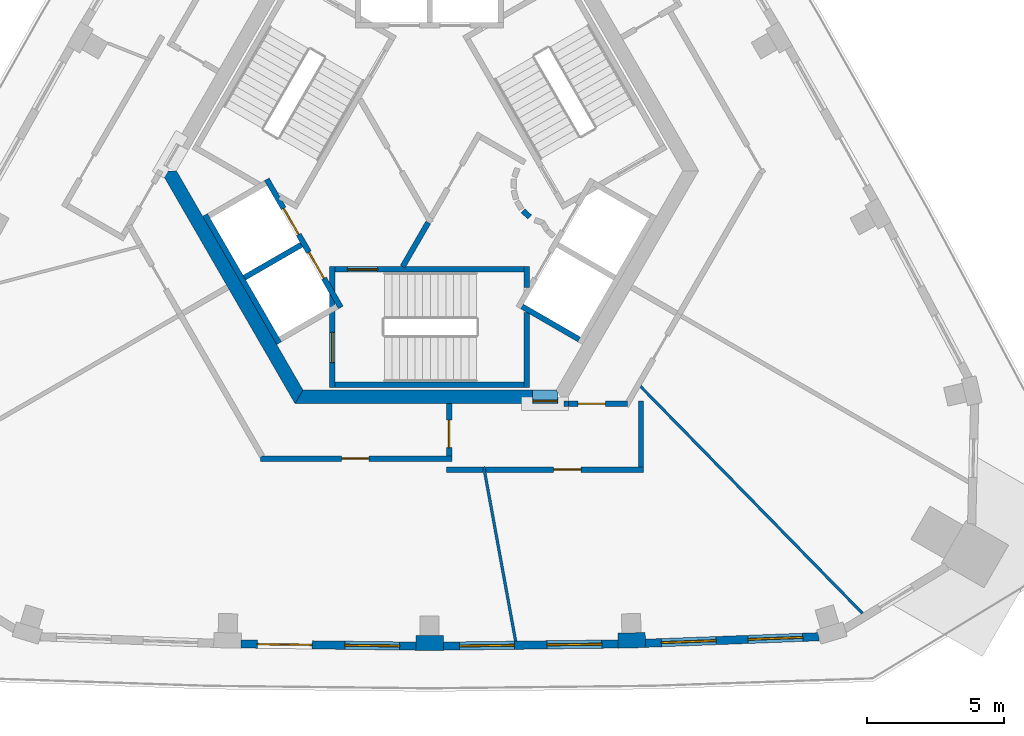
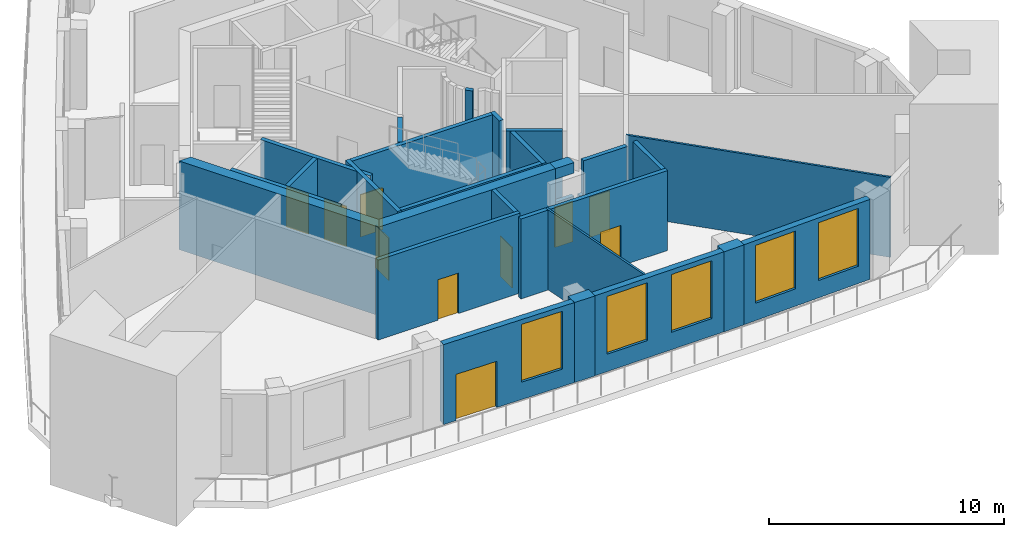
# One storey, part 2 of 7: 29 walls, 10 doors, 5 windows, 15 openings.
"""IFC4 building model written with IfcOpenShell, lengths in metres."""

import ifcopenshell
import ifcopenshell.guid

model = None  # the IFC model being written
_history = None  # IfcOwnerHistory: only IFC2X3 demands one
_inside = {}  # id of a spatial element -> (the spatial element, [elements in it])
_under = {}  # id of a project, library or spatial element -> (it, [spatial elements below it])
_declared = {}  # id of a project -> (the project, [libraries it declares])
_typed = {}  # id of a type object -> (the type object, [elements of that type])
_made_of = {}  # id of a material, layer set ... -> (it, [elements and type objects made of it])


def new_model(schema):
    """Start an empty IFC model of exactly this schema.

    Asked for "IFC4X3", IfcOpenShell would pick the latest addendum, in which some entities
    have other attributes; the version numbers below select the first issue.
    IFC2X3 requires an IfcOwnerHistory on every rooted entity: one is made here for all.
    """
    global model, _history
    if schema == "IFC4X3":
        model = ifcopenshell.file(schema_version=(4, 3, 0, 0))
    else:
        model = ifcopenshell.file(schema=schema)
    _inside.clear()
    _under.clear()
    _declared.clear()
    _typed.clear()
    _made_of.clear()
    _history = None
    if model.schema == "IFC2X3":
        org = make("IfcOrganization", Name="unknown")
        user = make(
            "IfcPersonAndOrganization",
            ThePerson=make("IfcPerson", FamilyName="unknown"),
            TheOrganization=org,
        )
        app = make(
            "IfcApplication",
            ApplicationDeveloper=org,
            Version="unknown",
            ApplicationFullName="unknown",
            ApplicationIdentifier="unknown",
        )
        _history = make(
            "IfcOwnerHistory",
            OwningUser=user,
            OwningApplication=app,
            ChangeAction="ADDED",
            CreationDate=0,
        )
    return model


def make(cls, **values):
    """One entity of the class cls with the attributes given. An attribute that is None is left unset."""
    return model.create_entity(
        cls, **{name: value for name, value in values.items() if value is not None}
    )


def rooted(cls, **values):
    """An entity with a GlobalId (a new one), such as an element, a storey or a relation."""
    return make(cls, GlobalId=ifcopenshell.guid.new(), OwnerHistory=_history, **values)


def si_unit(unit_type, name, prefix=None):
    """IfcSIUnit, for example si_unit("LENGTHUNIT", "METRE", prefix="MILLI")."""
    return make("IfcSIUnit", UnitType=unit_type, Prefix=prefix, Name=name)


def assignment(units):
    """IfcUnitAssignment: the units of a project."""
    return None if units is None else make("IfcUnitAssignment", Units=units)


def point(xyz):
    """IfcCartesianPoint."""
    return None if xyz is None else make("IfcCartesianPoint", Coordinates=xyz)


def direction(xyz):
    """IfcDirection."""
    return None if xyz is None else make("IfcDirection", DirectionRatios=xyz)


def frame(location, z_axis=None, x_axis=None):
    """IfcAxis2Placement3D, a coordinate frame: its origin and axes. An axis left out is left unset."""
    return make(
        "IfcAxis2Placement3D",
        Location=point(location),
        Axis=direction(z_axis),
        RefDirection=direction(x_axis),
    )


def frame_2d(location, x_axis=None):
    """IfcAxis2Placement2D, a coordinate frame in the plane: its origin and x axis."""
    return make(
        "IfcAxis2Placement2D", Location=point(location), RefDirection=direction(x_axis)
    )


def origin():
    """The frame at (0, 0, 0) with its axes left unset."""
    return frame((0.0, 0.0, 0.0))


def place(relative_to, where):
    """IfcLocalPlacement: puts the frame where relative to a parent placement (None: the world)."""
    return make(
        "IfcLocalPlacement", PlacementRelTo=relative_to, RelativePlacement=where
    )


def context(
    kind, dimensions, precision=None, world=None, true_north=None, identifier=None
):
    """IfcGeometricRepresentationContext, for example the 3D "Model" context."""
    return make(
        "IfcGeometricRepresentationContext",
        ContextIdentifier=identifier,
        ContextType=kind,
        CoordinateSpaceDimension=dimensions,
        Precision=precision,
        WorldCoordinateSystem=world,
        TrueNorth=true_north,
    )


def subcontext(parent, identifier, kind, view, scale=None):
    """IfcGeometricRepresentationSubContext, for example "Body" below "Model"."""
    return make(
        "IfcGeometricRepresentationSubContext",
        ContextIdentifier=identifier,
        ContextType=kind,
        ParentContext=parent,
        TargetScale=scale,
        TargetView=view,
    )


def project(units=None, contexts=None):
    """IfcProject with its units and contexts."""
    return rooted(
        "IfcProject",
        Name="project",
        RepresentationContexts=contexts,
        UnitsInContext=assignment(units),
    )


def spatial(cls, under=None, at=None, **own):
    """A site, building, storey or space (cls), placed at a placement, below another one or the project."""
    s = rooted(cls, ObjectPlacement=at, **own)
    if under is not None:
        _under.setdefault(under.id(), (under, []))[1].append(s)
    return s


def polyline(points):
    """IfcPolyline through the points."""
    return make("IfcPolyline", Points=[point(p) for p in points])


def profile(cls, at=None, kind="AREA", **sizes):
    """A parametric profile (cls). Its sizes go by their IFC names, for example OverallWidth=200.0."""
    return make(cls, ProfileType=kind, Position=at, **sizes)


def rectangle(**sizes):
    """IfcRectangleProfileDef."""
    return profile("IfcRectangleProfileDef", **sizes)


def outline(outer, holes=None, kind="AREA"):
    """IfcArbitraryClosedProfileDef: a profile drawn as a closed curve; with holes, ...WithVoids."""
    if holes is None:
        return make("IfcArbitraryClosedProfileDef", ProfileType=kind, OuterCurve=outer)
    return make(
        "IfcArbitraryProfileDefWithVoids",
        ProfileType=kind,
        OuterCurve=outer,
        InnerCurves=holes,
    )


def extrude(swept, where, along, depth):
    """IfcExtrudedAreaSolid: the profile swept, set in the frame where, extruded along a direction by depth."""
    return make(
        "IfcExtrudedAreaSolid",
        SweptArea=swept,
        Position=where,
        ExtrudedDirection=direction(along),
        Depth=depth,
    )


def shape(context_of_items, identifier, shape_type, items):
    """IfcShapeRepresentation: the items that make up one representation, for example the "Body"."""
    return make(
        "IfcShapeRepresentation",
        ContextOfItems=context_of_items,
        RepresentationIdentifier=identifier,
        RepresentationType=shape_type,
        Items=items,
    )


def material(Name=None, Category=None):
    """IfcMaterial."""
    return make("IfcMaterial", Name=Name, Category=Category)


def layer(
    of_material, thickness, ventilated=None, Name=None, Category=None, Priority=None
):
    """IfcMaterialLayer: one layer of a wall or slab, of a material (None: an air gap)."""
    return make(
        "IfcMaterialLayer",
        Material=of_material,
        LayerThickness=thickness,
        IsVentilated=ventilated,
        Name=Name,
        Category=Category,
        Priority=Priority,
    )


def layer_set(layers, Name=None):
    """IfcMaterialLayerSet."""
    return make("IfcMaterialLayerSet", MaterialLayers=layers, LayerSetName=Name)


def made_of(thing, what):
    """Note that an element or type object is made of a material, layer set ...; save() writes the relation."""
    if what is not None:
        _made_of.setdefault(what.id(), (what, []))[1].append(thing)
    return thing


def type_object(cls, material=None, **own):
    """A type object (cls), such as IfcWallType, which elements share."""
    return made_of(rooted(cls, **own), material)


def element(
    cls,
    number,
    at=None,
    inside=None,
    cuts=None,
    type_object=None,
    material=None,
    context=None,
    identifier="Body",
    shape_type=None,
    held_by="IfcProductDefinitionShape",
    body=None,
    shapes=None,
    **own,
):
    """One element of the class cls, such as IfcWall. Its Tag is "e" and its number.

    at: its placement. inside: the storey or other place that contains it. cuts: it is an
    opening in that element (IfcRelVoidsElement). A single representation is given by context,
    identifier, shape_type and body (its items); several are given by shapes. held_by: the class
    of the entity that holds the representations. save() writes the other relations.
    """
    e = rooted(cls, Tag="e%d" % number, ObjectPlacement=at, **own)
    if body is not None:
        shapes = [shape(context, identifier, shape_type, body)]
    if shapes is not None:
        e.Representation = make(held_by, Representations=shapes)
    if inside is not None:
        _inside.setdefault(inside.id(), (inside, []))[1].append(e)
    if cuts is not None:
        rooted(
            "IfcRelVoidsElement", RelatingBuildingElement=cuts, RelatedOpeningElement=e
        )
    if type_object is not None:
        _typed.setdefault(type_object.id(), (type_object, []))[1].append(e)
    return made_of(e, material)


def fill(opening, filler):
    """IfcRelFillsElement: the door or window that sits in an opening."""
    return rooted(
        "IfcRelFillsElement",
        RelatingOpeningElement=opening,
        RelatedBuildingElement=filler,
    )


def aggregate(whole, parts):
    """IfcRelAggregates: a whole, such as a stair, and the parts it consists of."""
    return rooted("IfcRelAggregates", RelatingObject=whole, RelatedObjects=parts)


def save(model, path):
    """Write the relations noted so far, then the file.

    IfcRelAggregates (storeys below a building ...), IfcRelContainedInSpatialStructure (elements
    in a storey), IfcRelDefinesByType, IfcRelAssociatesMaterial and IfcRelDeclares: one each for
    every whole, place, type object, material and project.
    """
    for whole, parts in _under.values():
        aggregate(whole, parts)
    for where, things in _inside.values():
        rooted(
            "IfcRelContainedInSpatialStructure",
            RelatedElements=things,
            RelatingStructure=where,
        )
    for kind, things in _typed.values():
        rooted("IfcRelDefinesByType", RelatedObjects=things, RelatingType=kind)
    for what, things in _made_of.values():
        rooted("IfcRelAssociatesMaterial", RelatedObjects=things, RelatingMaterial=what)
    for by, libraries in _declared.values():
        rooted("IfcRelDeclares", RelatingContext=by, RelatedDefinitions=libraries)
    model.write(path)


model = new_model("IFC4")

# Units and contexts
model_context = context("Model", 3, precision=1e-05, world=origin(), true_north=direction((0.0, 1.0)))
body_context = subcontext(model_context, "Body", "Model", "MODEL_VIEW")
ifc_project = project(units=[si_unit("LENGTHUNIT", "METRE"), si_unit("AREAUNIT", "SQUARE_METRE"), si_unit("VOLUMEUNIT", "CUBIC_METRE"), si_unit("PLANEANGLEUNIT", "RADIAN"), si_unit("MASSUNIT", "GRAM", prefix="KILO")], contexts=[model_context])

# Site, building, storey
site_placement = place(None, origin())
site = spatial("IfcSite", under=ifc_project, at=site_placement, CompositionType="ELEMENT")
building_placement = place(site_placement, origin())
building = spatial("IfcBuilding", under=site, at=building_placement, Name="Entoto Arch Interchange Tower", CompositionType="ELEMENT")
storey_placement = place(building_placement, frame((0.0, 0.0, 340.39990234375)))
storey = spatial("IfcBuildingStorey", under=building, at=storey_placement, Name="L80", CompositionType="ELEMENT", Elevation=340.39990234375)

# Wall, opening, door
ifc_material_1 = material(Name="Reinforced concrete C40/50", Category="concrete")
ifc_layer_1 = layer(ifc_material_1, 0.199951171875)
ifc_layer_set_1 = layer_set([ifc_layer_1], Name="Reinforced concrete C40/50")
wall_type_1 = type_object("IfcWallType", Name="CORE GAP INFILL WALL", PredefinedType="PARTITIONING", material=ifc_layer_set_1)
wall_1_placement = place(storey_placement, frame((3.75, -5.89990234375, 0.0), z_axis=(0.0, 0.0, 1.0), x_axis=(1.0, 0.0, 0.0)))
wall_1 = element("IfcWall", 1, at=wall_1_placement, inside=storey, type_object=wall_type_1, Name="wall:L80:gap1", PredefinedType="PARTITIONING", context=body_context, shape_type="SweptSolid", body=[
    extrude(rectangle(XDim=0.926025390625, YDim=0.199951171875, at=frame_2d((0.462890625, 0.0))), origin(), (0.0, 0.0, 1.0), 2.400146484375),
])
opening_1_placement = place(wall_1_placement, frame((0.01708984375, 0.0, 0.0)))
opening_1 = element("IfcOpeningElement", 2, at=opening_1_placement, cuts=wall_1, Name="Opening L80-D91", PredefinedType="OPENING", context=body_context, shape_type="SweptSolid", body=[
    extrude(rectangle(XDim=0.89990234375, YDim=2.10009765625, at=frame_2d((0.449951171875, 1.050048828125))), frame((0.0, 0.10986328125, 0.0), z_axis=(0.0, -1.0, 0.0), x_axis=(1.0, 0.0, 0.0)), (0.0, 0.0, 1.0), 0.219970703125),
])
ifc_material_2 = material(Name="Fire-rated Steel S235 door and frame", Category="steel")
door_type_1 = type_object("IfcDoorType", Name="DOOR FD-09 900x2100", OperationType="SINGLE_SWING_LEFT", PredefinedType="DOOR", material=ifc_material_2)
door_1_placement = place(opening_1_placement, origin())
door_1 = element("IfcDoor", 3, at=door_1_placement, inside=storey, type_object=door_type_1, Name="door:L80:gap1", OperationType="SINGLE_SWING_LEFT", OverallHeight=2.10009765625, OverallWidth=0.89990234375, PredefinedType="DOOR", context=body_context, shape_type="SweptSolid", body=[
    extrude(rectangle(XDim=0.89990234375, YDim=2.10009765625, at=frame_2d((0.449951171875, 1.050048828125))), frame((0.0, 0.02490234375, 0.0), z_axis=(0.0, -1.0, 0.0), x_axis=(1.0, 0.0, 0.0)), (0.0, 0.0, 1.0), 0.050048828125),
])
fill(opening_1, door_1)

# Walls
ifc_material_3 = material(Name="Concrete C40/50", Category="concrete")
ifc_layer_2 = layer(ifc_material_3, 0.5)
ifc_layer_set_2 = layer_set([ifc_layer_2], Name="Concrete C40/50")
wall_type_2 = type_object("IfcWallType", Name="Core wall 500 C40/50", PredefinedType="SHEAR", material=ifc_layer_set_2)
wall_2_placement = place(storey_placement, frame((0.0, 0.0, -0.449951171875)))
element("IfcWall", 4, at=wall_2_placement, inside=storey, type_object=wall_type_2, Name="Core wall SW L80", PredefinedType="SHEAR", context=body_context, shape_type="SweptSolid", body=[
    extrude(outline(polyline([(-9.81494140625, 2.5), (-4.906982421875, -6.0), (-4.618896484375, -5.5), (-9.238037109375, 2.5), (-9.81494140625, 2.5)])), origin(), (0.0, 0.0, 1.0), 4.60009765625),
])
wall_3_placement = place(storey_placement, frame((0.0, 0.0, -0.449951171875)))
element("IfcWall", 5, at=wall_3_placement, inside=storey, type_object=wall_type_2, Name="Core wall S L80", PredefinedType="SHEAR", context=body_context, shape_type="SweptSolid", body=[
    extrude(outline(polyline([(3.75, -6.0), (3.75, -5.5), (-4.618896484375, -5.5), (-4.906982421875, -6.0), (3.75, -6.0)])), origin(), (0.0, 0.0, 1.0), 4.60009765625),
])
wall_4_placement = place(storey_placement, frame((0.0, 0.0, 3.60009765625)))
element("IfcWall", 6, at=wall_4_placement, inside=storey, type_object=wall_type_2, Name="Core wall lintel S L80", PredefinedType="SHEAR", context=body_context, shape_type="SweptSolid", body=[
    extrude(outline(polyline([(4.676025390625, -6.0), (4.676025390625, -5.60009765625), (4.618896484375, -5.5), (3.75, -5.5), (3.75, -6.0), (4.676025390625, -6.0)])), origin(), (0.0, 0.0, 1.0), 0.550048828125),
])

# Wall, openings, doors
ifc_layer_3 = layer(ifc_material_3, 0.199951171875)
ifc_layer_set_3 = layer_set([ifc_layer_3], Name="Concrete C40/50")
wall_type_3 = type_object("IfcWallType", Name="LIFT SHAFT WALL 200", PredefinedType="STANDARD", material=ifc_layer_set_3)
wall_5_placement = place(storey_placement, frame((-5.93994140625, 2.18798828125, 0.0), z_axis=(0.0, 0.0, 1.0), x_axis=(0.500034260056, -0.866005622828, 0.0)))
wall_5 = element("IfcWall", 7, at=wall_5_placement, inside=storey, type_object=wall_type_3, Name="Shaft wall SW1 front", PredefinedType="STANDARD", context=body_context, shape_type="SweptSolid", body=[
    extrude(rectangle(XDim=5.3994140625, YDim=0.199951171875, at=frame_2d((2.69970703125, 0.0))), origin(), (0.0, 0.0, 1.0), 4.150146484375),
])
opening_2_placement = place(wall_5_placement, frame((3.074951171875, 0.0, 0.0)))
opening_2 = element("IfcOpeningElement", 8, at=opening_2_placement, cuts=wall_5, Name="Opening LD-HR4-L80", PredefinedType="OPENING", context=body_context, shape_type="SweptSolid", body=[
    extrude(rectangle(XDim=1.10009765625, YDim=2.10009765625, at=frame_2d((0.550048828125, 1.050048828125))), frame((0.0, 0.10986328125, 0.0), z_axis=(0.0, -1.0, 0.0), x_axis=(1.0, 0.0, 0.0)), (0.0, 0.0, 1.0), 0.219970703125),
])
opening_3_placement = place(wall_5_placement, frame((1.22509765625, 0.0, 0.0)))
opening_3 = element("IfcOpeningElement", 9, at=opening_3_placement, cuts=wall_5, Name="Opening LD-FF2-L80", PredefinedType="OPENING", context=body_context, shape_type="SweptSolid", body=[
    extrude(rectangle(XDim=1.10009765625, YDim=2.10009765625, at=frame_2d((0.550048828125, 1.050048828125))), frame((0.0, 0.10986328125, 0.0), z_axis=(0.0, -1.0, 0.0), x_axis=(1.0, 0.0, 0.0)), (0.0, 0.0, 1.0), 0.219970703125),
])
ifc_material_4 = material(Name="Stainless steel 1.4301 panels", Category="steel")
door_type_2 = type_object("IfcDoorType", Name="LIFT LANDING DOOR LD1 1100x2100", OperationType="SLIDING_TO_LEFT", PredefinedType="DOOR", material=ifc_material_4)
door_2_placement = place(opening_2_placement, origin())
door_2 = element("IfcDoor", 10, at=door_2_placement, inside=storey, type_object=door_type_2, Name="Lift landing door HR4 L80", OperationType="SLIDING_TO_LEFT", OverallHeight=2.10009765625, OverallWidth=1.10009765625, PredefinedType="DOOR", context=body_context, shape_type="SweptSolid", body=[
    extrude(rectangle(XDim=1.10009765625, YDim=2.10009765625, at=frame_2d((0.550048828125, 1.050048828125))), frame((0.0, 0.02490234375, 0.0), z_axis=(0.0, -1.0, 0.0), x_axis=(1.0, 0.0, 0.0)), (0.0, 0.0, 1.0), 0.050048828125),
])
fill(opening_2, door_2)
door_3_placement = place(opening_3_placement, origin())
door_3 = element("IfcDoor", 11, at=door_3_placement, inside=storey, type_object=door_type_2, Name="Lift landing door FF2 L80", OperationType="SLIDING_TO_LEFT", OverallHeight=2.10009765625, OverallWidth=1.10009765625, PredefinedType="DOOR", context=body_context, shape_type="SweptSolid", body=[
    extrude(rectangle(XDim=1.10009765625, YDim=2.10009765625, at=frame_2d((0.550048828125, 1.050048828125))), frame((0.0, 0.02490234375, 0.0), z_axis=(0.0, -1.0, 0.0), x_axis=(1.0, 0.0, 0.0)), (0.0, 0.0, 1.0), 0.050048828125),
])
fill(opening_3, door_3)

# Walls
wall_6_placement = place(storey_placement, frame((-8.19189453125, 0.887939453125, 0.0), z_axis=(0.0, 0.0, 1.0), x_axis=(0.500034260056, -0.866005622828, 0.0)))
element("IfcWall", 12, at=wall_6_placement, inside=storey, type_object=wall_type_3, Name="Shaft wall SW1 back", PredefinedType="STANDARD", context=body_context, shape_type="SweptSolid", body=[
    extrude(rectangle(XDim=5.3994140625, YDim=0.199951171875, at=frame_2d((2.69970703125, 0.0))), origin(), (0.0, 0.0, 1.0), 4.150146484375),
])
wall_7_placement = place(storey_placement, frame((-4.677001953125, -0.199951171875, 0.0), z_axis=(0.0, 0.0, 1.0), x_axis=(-0.865973769406, -0.500089422704, 0.0)))
element("IfcWall", 13, at=wall_7_placement, inside=storey, type_object=wall_type_3, Name="Shaft wall SW1 cross 2", PredefinedType="STANDARD", context=body_context, shape_type="SweptSolid", body=[
    extrude(rectangle(XDim=2.3994140625, YDim=0.199951171875, at=frame_2d((1.19970703125, 0.0))), origin(), (0.0, 0.0, 1.0), 4.150146484375),
])
wall_8_placement = place(storey_placement, frame((3.376953125, -2.451904296875, 0.0), z_axis=(0.0, 0.0, 1.0), x_axis=(0.865955154139, -0.50012165622, 0.0)))
element("IfcWall", 14, at=wall_8_placement, inside=storey, type_object=wall_type_3, Name="Shaft wall SE1 cross 1", PredefinedType="STANDARD", context=body_context, shape_type="SweptSolid", body=[
    extrude(rectangle(XDim=2.39990234375, YDim=0.199951171875, at=frame_2d((1.199951171875, 0.0))), origin(), (0.0, 0.0, 1.0), 4.150146484375),
])
ifc_material_5 = material(Name="Gypsum board partition on steel studs", Category="steel")
ifc_layer_4 = layer(ifc_material_5, 0.10009765625)
ifc_layer_set_4 = layer_set([ifc_layer_4], Name="Gypsum board partition on steel studs")
wall_type_4 = type_object("IfcWallType", Name="PARTITION 100", PredefinedType="PARTITIONING", material=ifc_layer_set_4)
wall_9_placement = place(storey_placement, frame((3.138916015625, -14.660888671875, 0.0), z_axis=(0.0, 0.0, 1.0), x_axis=(-0.179885726398, 0.983687514121, 0.0)))
element("IfcWall", 15, at=wall_9_placement, inside=storey, type_object=wall_type_4, Name="wall:L80:p023", PredefinedType="PARTITIONING", context=body_context, shape_type="SweptSolid", body=[
    extrude(rectangle(XDim=6.46435546875, YDim=0.10009765625, at=frame_2d((3.232177734375, 0.0))), origin(), (0.0, 0.0, 1.0), 4.150146484375),
])
wall_10_placement = place(storey_placement, frame((7.6240234375, -5.294921875, 0.0), z_axis=(0.0, 0.0, 1.0), x_axis=(0.699225895869, -0.714900794898, 0.0)))
element("IfcWall", 16, at=wall_10_placement, inside=storey, type_object=wall_type_4, Name="wall:L80:p024", PredefinedType="PARTITIONING", context=body_context, shape_type="SweptSolid", body=[
    extrude(rectangle(XDim=11.681396484375, YDim=0.10009765625, at=frame_2d((5.8408203125, 0.0))), origin(), (0.0, 0.0, 1.0), 4.150146484375),
])
ifc_layer_5 = layer(ifc_material_5, 0.199951171875)
ifc_layer_set_5 = layer_set([ifc_layer_5], Name="Gypsum board partition on steel studs")
wall_type_5 = type_object("IfcWallType", Name="PARTITION 200", PredefinedType="PARTITIONING", material=ifc_layer_set_5)
wall_11_placement = place(storey_placement, frame((-0.98193359375, -1.0, 0.0), z_axis=(0.0, 0.0, 1.0), x_axis=(0.50024047865, 0.865886518847, 0.0)))
element("IfcWall", 17, at=wall_11_placement, inside=storey, type_object=wall_type_5, Name="wall:L80:p001", PredefinedType="PARTITIONING", context=body_context, shape_type="SweptSolid", body=[
    extrude(rectangle(XDim=1.86279296875, YDim=0.199951171875, at=frame_2d((0.931396484375, 0.0))), origin(), (0.0, 0.0, 1.0), 4.150146484375),
])
wall_12_placement = place(storey_placement, frame((3.404052734375, 1.0390625, 0.0), z_axis=(0.0, 0.0, 1.0), x_axis=(0.740267097712, -0.672312891476, 0.0)))
element("IfcWall", 18, at=wall_12_placement, inside=storey, type_object=wall_type_5, Name="wall:L80:p007", PredefinedType="PARTITIONING", context=body_context, shape_type="SweptSolid", body=[
    extrude(rectangle(XDim=0.337646484375, YDim=0.199951171875, at=frame_2d((0.1689453125, 0.0))), origin(), (0.0, 0.0, 1.0), 4.150146484375),
])

# Wall, opening, door
wall_13_placement = place(storey_placement, frame((0.712890625, -7.89990234375, 0.0), z_axis=(0.0, 0.0, 1.0), x_axis=(0.0, 1.0, 0.0)))
wall_13 = element("IfcWall", 19, at=wall_13_placement, inside=storey, type_object=wall_type_5, Name="wall:L80:p013", PredefinedType="PARTITIONING", context=body_context, shape_type="SweptSolid", body=[
    extrude(rectangle(XDim=1.89990234375, YDim=0.199951171875, at=frame_2d((0.949951171875, 0.0))), origin(), (0.0, 0.0, 1.0), 4.150146484375),
])
opening_4_placement = place(wall_13_placement, frame((0.300048828125, 0.0, 0.0)))
opening_4 = element("IfcOpeningElement", 20, at=opening_4_placement, cuts=wall_13, Name="Opening L80-D01", PredefinedType="OPENING", context=body_context, shape_type="SweptSolid", body=[
    extrude(rectangle(XDim=1.0, YDim=2.10009765625, at=frame_2d((0.5, 1.050048828125))), frame((0.0, 0.10986328125, 0.0), z_axis=(0.0, -1.0, 0.0), x_axis=(1.0, 0.0, 0.0)), (0.0, 0.0, 1.0), 0.219970703125),
])
door_type_3 = type_object("IfcDoorType", Name="DOOR FD-10 1000x2100", OperationType="SINGLE_SWING_LEFT", PredefinedType="DOOR", material=ifc_material_2)
door_4_placement = place(opening_4_placement, origin())
door_4 = element("IfcDoor", 21, at=door_4_placement, inside=storey, type_object=door_type_3, Name="door:L80:01", OperationType="SINGLE_SWING_LEFT", OverallHeight=2.10009765625, OverallWidth=1.0, PredefinedType="DOOR", context=body_context, shape_type="SweptSolid", body=[
    extrude(rectangle(XDim=1.0, YDim=2.10009765625, at=frame_2d((0.5, 1.050048828125))), frame((0.0, 0.02490234375, 0.0), z_axis=(0.0, -1.0, 0.0), x_axis=(1.0, 0.0, 0.0)), (0.0, 0.0, 1.0), 0.050048828125),
])
fill(opening_4, door_4)

# Wall
wall_14_placement = place(storey_placement, frame((4.906982421875, -6.0, 0.0), z_axis=(0.0, 0.0, 1.0), x_axis=(1.0, 0.0, 0.0)))
element("IfcWall", 22, at=wall_14_placement, inside=storey, type_object=wall_type_5, Name="wall:L80:p014", PredefinedType="PARTITIONING", context=body_context, shape_type="SweptSolid", body=[
    extrude(rectangle(XDim=0.1689453125, YDim=0.199951171875, at=frame_2d((0.08447265625, 0.0))), origin(), (0.0, 0.0, 1.0), 2.400146484375),
])

# Wall, opening, door
wall_15_placement = place(storey_placement, frame((7.81298828125, -8.39990234375, 0.0), z_axis=(0.0, 0.0, 1.0), x_axis=(-1.0, 0.0, 0.0)))
wall_15 = element("IfcWall", 23, at=wall_15_placement, inside=storey, type_object=wall_type_5, Name="wall:L80:p015", PredefinedType="PARTITIONING", context=body_context, shape_type="SweptSolid", body=[
    extrude(rectangle(XDim=5.76904296875, YDim=0.199951171875, at=frame_2d((2.884521484375, 0.0))), origin(), (0.0, 0.0, 1.0), 4.150146484375),
])
opening_5_placement = place(wall_15_placement, frame((2.2890625, 0.0, 0.0)))
opening_5 = element("IfcOpeningElement", 24, at=opening_5_placement, cuts=wall_15, Name="Opening L80-D03", PredefinedType="OPENING", context=body_context, shape_type="SweptSolid", body=[
    extrude(rectangle(XDim=1.0, YDim=2.10009765625, at=frame_2d((0.5, 1.050048828125))), frame((0.0, 0.10986328125, 0.0), z_axis=(0.0, -1.0, 0.0), x_axis=(1.0, 0.0, 0.0)), (0.0, 0.0, 1.0), 0.219970703125),
])
door_5_placement = place(opening_5_placement, origin())
door_5 = element("IfcDoor", 25, at=door_5_placement, inside=storey, type_object=door_type_3, Name="door:L80:03", OperationType="SINGLE_SWING_LEFT", OverallHeight=2.10009765625, OverallWidth=1.0, PredefinedType="DOOR", context=body_context, shape_type="SweptSolid", body=[
    extrude(rectangle(XDim=1.0, YDim=2.10009765625, at=frame_2d((0.5, 1.050048828125))), frame((0.0, 0.02490234375, 0.0), z_axis=(0.0, -1.0, 0.0), x_axis=(1.0, 0.0, 0.0)), (0.0, 0.0, 1.0), 0.050048828125),
])
fill(opening_5, door_5)

# Walls
wall_16_placement = place(storey_placement, frame((7.712890625, -5.89990234375, 0.0), z_axis=(0.0, 0.0, 1.0), x_axis=(0.0, -1.0, 0.0)))
element("IfcWall", 26, at=wall_16_placement, inside=storey, type_object=wall_type_5, Name="wall:L80:p016", PredefinedType="PARTITIONING", context=body_context, shape_type="SweptSolid", body=[
    extrude(rectangle(XDim=2.400146484375, YDim=0.199951171875, at=frame_2d((1.2001953125, 0.0))), origin(), (0.0, 0.0, 1.0), 4.150146484375),
])
wall_17_placement = place(storey_placement, frame((1.944091796875, -8.39990234375, 0.0), z_axis=(0.0, 0.0, 1.0), x_axis=(-1.0, 0.0, 0.0)))
element("IfcWall", 27, at=wall_17_placement, inside=storey, type_object=wall_type_5, Name="wall:L80:p017", PredefinedType="PARTITIONING", context=body_context, shape_type="SweptSolid", body=[
    extrude(rectangle(XDim=1.3310546875, YDim=0.199951171875, at=frame_2d((0.66552734375, 0.0))), origin(), (0.0, 0.0, 1.0), 4.150146484375),
])

# Wall, opening, door
wall_18_placement = place(storey_placement, frame((0.81298828125, -8.0, 0.0), z_axis=(0.0, 0.0, 1.0), x_axis=(-1.0, 0.0, 0.0)))
wall_18 = element("IfcWall", 28, at=wall_18_placement, inside=storey, type_object=wall_type_5, Name="wall:L80:p018", PredefinedType="PARTITIONING", context=body_context, shape_type="SweptSolid", body=[
    extrude(rectangle(XDim=6.97509765625, YDim=0.199951171875, at=frame_2d((3.487548828125, 0.0))), origin(), (0.0, 0.0, 1.0), 4.150146484375),
])
opening_6_placement = place(wall_18_placement, frame((3.02490234375, 0.0, 0.0)))
opening_6 = element("IfcOpeningElement", 29, at=opening_6_placement, cuts=wall_18, Name="Opening L80-D04", PredefinedType="OPENING", context=body_context, shape_type="SweptSolid", body=[
    extrude(rectangle(XDim=1.0, YDim=2.10009765625, at=frame_2d((0.5, 1.050048828125))), frame((0.0, 0.10986328125, 0.0), z_axis=(0.0, -1.0, 0.0), x_axis=(1.0, 0.0, 0.0)), (0.0, 0.0, 1.0), 0.219970703125),
])
ifc_material_6 = material(Name="Timber door leaf in Steel S235 frame", Category="steel")
door_type_4 = type_object("IfcDoorType", Name="DOOR DS-10 1000x2100", OperationType="SINGLE_SWING_LEFT", PredefinedType="DOOR", material=ifc_material_6)
door_6_placement = place(opening_6_placement, origin())
door_6 = element("IfcDoor", 30, at=door_6_placement, inside=storey, type_object=door_type_4, Name="door:L80:04", OperationType="SINGLE_SWING_RIGHT", OverallHeight=2.10009765625, OverallWidth=1.0, PredefinedType="DOOR", context=body_context, shape_type="SweptSolid", body=[
    extrude(rectangle(XDim=1.0, YDim=2.10009765625, at=frame_2d((0.5, 1.050048828125))), frame((0.0, 0.02490234375, 0.0), z_axis=(0.0, -1.0, 0.0), x_axis=(1.0, 0.0, 0.0)), (0.0, 0.0, 1.0), 0.050048828125),
])
fill(opening_6, door_6)

wall_19_placement = place(storey_placement, frame((5.075927734375, -6.0, 0.0), z_axis=(0.0, 0.0, 1.0), x_axis=(1.0, 0.0, 0.0)))
wall_19 = element("IfcWall", 31, at=wall_19_placement, inside=storey, type_object=wall_type_5, Name="wall:L80:p014", PredefinedType="PARTITIONING", context=body_context, shape_type="SweptSolid", body=[
    extrude(rectangle(XDim=2.14013671875, YDim=0.199951171875, at=frame_2d((1.070068359375, 0.0))), origin(), (0.0, 0.0, 1.0), 4.150146484375),
])
opening_7_placement = place(wall_19_placement, frame((0.3359375, 0.0, 0.0)))
opening_7 = element("IfcOpeningElement", 32, at=opening_7_placement, cuts=wall_19, Name="Opening L80-D02", PredefinedType="OPENING", context=body_context, shape_type="SweptSolid", body=[
    extrude(rectangle(XDim=1.0, YDim=2.10009765625, at=frame_2d((0.5, 1.050048828125))), frame((0.0, 0.10986328125, 0.0), z_axis=(0.0, -1.0, 0.0), x_axis=(1.0, 0.0, 0.0)), (0.0, 0.0, 1.0), 0.219970703125),
])
door_7_placement = place(opening_7_placement, origin())
door_7 = element("IfcDoor", 33, at=door_7_placement, inside=storey, type_object=door_type_3, Name="door:L80:02", OperationType="SINGLE_SWING_RIGHT", OverallHeight=2.10009765625, OverallWidth=1.0, PredefinedType="DOOR", context=body_context, shape_type="SweptSolid", body=[
    extrude(rectangle(XDim=1.0, YDim=2.10009765625, at=frame_2d((0.5, 1.050048828125))), frame((0.0, 0.02490234375, 0.0), z_axis=(0.0, -1.0, 0.0), x_axis=(1.0, 0.0, 0.0)), (0.0, 0.0, 1.0), 0.050048828125),
])
fill(opening_7, door_7)

ifc_layer_6 = layer(ifc_material_3, 0.199951171875)
ifc_layer_set_6 = layer_set([ifc_layer_6], Name="Concrete C40/50")
wall_type_6 = type_object("IfcWallType", Name="STAIR ENCLOSURE WALL 200", PredefinedType="STANDARD", material=ifc_layer_set_6)
wall_20_placement = place(storey_placement, frame((-3.550048828125, -1.0, 0.0), z_axis=(0.0, 0.0, 1.0), x_axis=(0.0, -1.0, 0.0)))
wall_20 = element("IfcWall", 34, at=wall_20_placement, inside=storey, type_object=wall_type_6, Name="Stair wall ST-S near", PredefinedType="STANDARD", context=body_context, shape_type="SweptSolid", body=[
    extrude(rectangle(XDim=4.39990234375, YDim=0.199951171875, at=frame_2d((2.199951171875, 0.0))), origin(), (0.0, 0.0, 1.0), 4.150146484375),
])
opening_8_placement = place(wall_20_placement, frame((2.39990234375, 0.0, 0.0)))
opening_8 = element("IfcOpeningElement", 35, at=opening_8_placement, cuts=wall_20, Name="Opening SD-ST-S-L80-E", PredefinedType="OPENING", context=body_context, shape_type="SweptSolid", body=[
    extrude(rectangle(XDim=1.10009765625, YDim=2.199951171875, at=frame_2d((0.550048828125, 1.10009765625))), frame((0.0, 0.10986328125, 0.0), z_axis=(0.0, -1.0, 0.0), x_axis=(1.0, 0.0, 0.0)), (0.0, 0.0, 1.0), 0.219970703125),
])
ifc_material_7 = material(Name="Steel S235", Category="steel")
door_type_5 = type_object("IfcDoorType", Name="STAIR DOOR SD1 1100x2200", OperationType="SINGLE_SWING_LEFT", PredefinedType="DOOR", material=ifc_material_7)
door_8_placement = place(opening_8_placement, origin())
door_8 = element("IfcDoor", 36, at=door_8_placement, inside=storey, type_object=door_type_5, Name="Stair door ST-S L80 end", OperationType="SINGLE_SWING_LEFT", OverallHeight=2.199951171875, OverallWidth=1.10009765625, PredefinedType="DOOR", context=body_context, shape_type="SweptSolid", body=[
    extrude(rectangle(XDim=1.10009765625, YDim=2.199951171875, at=frame_2d((0.550048828125, 1.10009765625))), frame((0.0, 0.02490234375, 0.0), z_axis=(0.0, -1.0, 0.0), x_axis=(1.0, 0.0, 0.0)), (0.0, 0.0, 1.0), 0.050048828125),
])
fill(opening_8, door_8)

# Walls
wall_21_placement = place(storey_placement, frame((3.550048828125, -2.6669921875, 0.0), z_axis=(0.0, 0.0, 1.0), x_axis=(0.0, -1.0, 0.0)))
element("IfcWall", 37, at=wall_21_placement, inside=storey, type_object=wall_type_6, Name="Stair wall ST-S far", PredefinedType="STANDARD", context=body_context, shape_type="SweptSolid", body=[
    extrude(rectangle(XDim=2.73291015625, YDim=0.199951171875, at=frame_2d((1.366455078125, 0.0))), origin(), (0.0, 0.0, 1.0), 4.150146484375),
])
wall_22_placement = place(storey_placement, frame((3.550048828125, -1.0, 0.0), z_axis=(0.0, 0.0, 1.0), x_axis=(0.0, -1.0, 0.0)))
element("IfcWall", 38, at=wall_22_placement, inside=storey, type_object=wall_type_6, Name="Stair wall ST-S far return", PredefinedType="STANDARD", context=body_context, shape_type="SweptSolid", body=[
    extrude(rectangle(XDim=0.7509765625, YDim=0.199951171875, at=frame_2d((0.37548828125, 0.0))), origin(), (0.0, 0.0, 1.0), 4.150146484375),
])

# Wall, opening, door
wall_23_placement = place(storey_placement, frame((-3.449951171875, -1.10009765625, 0.0), z_axis=(0.0, 0.0, 1.0), x_axis=(1.0, 0.0, 0.0)))
wall_23 = element("IfcWall", 39, at=wall_23_placement, inside=storey, type_object=wall_type_6, Name="Stair wall ST-S hall", PredefinedType="STANDARD", context=body_context, shape_type="SweptSolid", body=[
    extrude(rectangle(XDim=6.89990234375, YDim=0.199951171875, at=frame_2d((3.449951171875, 0.0))), origin(), (0.0, 0.0, 1.0), 4.150146484375),
])
opening_9_placement = place(wall_23_placement, frame((0.449951171875, 0.0, 0.0)))
opening_9 = element("IfcOpeningElement", 40, at=opening_9_placement, cuts=wall_23, Name="Opening SD-ST-S-L80", PredefinedType="OPENING", context=body_context, shape_type="SweptSolid", body=[
    extrude(rectangle(XDim=1.10009765625, YDim=2.199951171875, at=frame_2d((0.550048828125, 1.10009765625))), frame((0.0, 0.10986328125, 0.0), z_axis=(0.0, -1.0, 0.0), x_axis=(1.0, 0.0, 0.0)), (0.0, 0.0, 1.0), 0.219970703125),
])
door_9_placement = place(opening_9_placement, origin())
door_9 = element("IfcDoor", 41, at=door_9_placement, inside=storey, type_object=door_type_5, Name="Stair door ST-S L80", OperationType="SINGLE_SWING_LEFT", OverallHeight=2.199951171875, OverallWidth=1.10009765625, PredefinedType="DOOR", context=body_context, shape_type="SweptSolid", body=[
    extrude(rectangle(XDim=1.10009765625, YDim=2.199951171875, at=frame_2d((0.550048828125, 1.10009765625))), frame((0.0, 0.02490234375, 0.0), z_axis=(0.0, -1.0, 0.0), x_axis=(1.0, 0.0, 0.0)), (0.0, 0.0, 1.0), 0.050048828125),
])
fill(opening_9, door_9)

# Wall
wall_24_placement = place(storey_placement, frame((-3.449951171875, -5.300048828125, 0.0), z_axis=(0.0, 0.0, 1.0), x_axis=(1.0, 0.0, 0.0)))
element("IfcWall", 42, at=wall_24_placement, inside=storey, type_object=wall_type_6, Name="Stair wall ST-S back", PredefinedType="STANDARD", context=body_context, shape_type="SweptSolid", body=[
    extrude(rectangle(XDim=6.89990234375, YDim=0.199951171875, at=frame_2d((3.449951171875, 0.0))), origin(), (0.0, 0.0, 1.0), 4.150146484375),
])

# Wall, openings, door, window
ifc_material_8 = material(Name="Welded tuff (ignimbrite) cladding, warm buff", Category="masonry")
ifc_layer_7 = layer(ifc_material_8, 0.300048828125)
ifc_layer_set_7 = layer_set([ifc_layer_7], Name="Welded tuff (ignimbrite) cladding, warm buff")
wall_type_7 = type_object("IfcWallType", Name="STONE INFILL WALL 300", PredefinedType="STANDARD", material=ifc_layer_set_7)
wall_25_placement = place(storey_placement, frame((-6.8759765625, -14.763916015625, 0.0), z_axis=(0.0, 0.0, 1.0), x_axis=(0.999921164834, -0.012556437292, 0.0)))
wall_25 = element("IfcWall", 43, at=wall_25_placement, inside=storey, type_object=wall_type_7, Name="Facade wall S-02 L80", PredefinedType="STANDARD", context=body_context, shape_type="SweptSolid", body=[
    extrude(rectangle(XDim=6.37744140625, YDim=0.300048828125, at=frame_2d((3.188720703125, 0.0))), origin(), (0.0, 0.0, 1.0), 4.150146484375),
])
opening_10_placement = place(wall_25_placement, frame((0.593994140625, 0.0, 0.0)))
opening_10 = element("IfcOpeningElement", 44, at=opening_10_placement, cuts=wall_25, Name="Opening DT-S-02-L80", PredefinedType="OPENING", context=body_context, shape_type="SweptSolid", body=[
    extrude(rectangle(XDim=2.0, YDim=2.39990234375, at=frame_2d((1.0, 1.199951171875))), frame((0.0, 0.16015625, 0.0), z_axis=(0.0, -1.0, 0.0), x_axis=(1.0, 0.0, 0.0)), (0.0, 0.0, 1.0), 0.320068359375),
])
opening_11_placement = place(wall_25_placement, frame((3.782958984375, 0.0, 0.89990234375)))
opening_11 = element("IfcOpeningElement", 45, at=opening_11_placement, cuts=wall_25, Name="Opening WK-C", PredefinedType="OPENING", context=body_context, shape_type="SweptSolid", body=[
    extrude(rectangle(XDim=2.0, YDim=3.0, at=frame_2d((1.0, 1.5))), frame((0.0, 0.16015625, 0.0), z_axis=(0.0, -1.0, 0.0), x_axis=(1.0, 0.0, 0.0)), (0.0, 0.0, 1.0), 0.320068359375),
])
ifc_material_9 = material(Name="Aluminium and clear glass, anodised", Category="aluminium")
door_type_6 = type_object("IfcDoorType", Name="TERRACE DOOR DT 2000x2400", OperationType="SLIDING_TO_LEFT", PredefinedType="DOOR", material=ifc_material_9)
door_10_placement = place(opening_10_placement, origin())
door_10 = element("IfcDoor", 46, at=door_10_placement, inside=storey, type_object=door_type_6, Name="Terrace door S-02 L80", OperationType="SLIDING_TO_LEFT", OverallHeight=2.39990234375, OverallWidth=2.0, PredefinedType="DOOR", context=body_context, shape_type="SweptSolid", body=[
    extrude(rectangle(XDim=2.0, YDim=2.39990234375, at=frame_2d((1.0, 1.199951171875))), frame((0.0, 0.02490234375, 0.0), z_axis=(0.0, -1.0, 0.0), x_axis=(1.0, 0.0, 0.0)), (0.0, 0.0, 1.0), 0.050048828125),
])
fill(opening_10, door_10)
ifc_material_10 = material(Name="Clear glass, low-e double glazed", Category="glass")
window_type = type_object("IfcWindowType", Name="WINDOW WK-C 2000x3000", PartitioningType="DOUBLE_PANEL_VERTICAL", PredefinedType="WINDOW", material=ifc_material_10)
window_1_placement = place(opening_11_placement, origin())
window_1 = element("IfcWindow", 47, at=window_1_placement, inside=storey, type_object=window_type, Name="Window WK-C S-02 L80", OverallHeight=3.0, OverallWidth=2.0, PartitioningType="SINGLE_PANEL", PredefinedType="WINDOW", context=body_context, shape_type="SweptSolid", body=[
    extrude(rectangle(XDim=2.0, YDim=3.0, at=frame_2d((1.0, 1.5))), frame((0.0, 0.030029296875, 0.0), z_axis=(0.0, -1.0, 0.0), x_axis=(1.0, 0.0, 0.0)), (0.0, 0.0, 1.0), 0.06005859375),
])
fill(opening_11, window_1)

# Wall, openings, windows
wall_26_placement = place(storey_placement, frame((0.4990234375, -14.843994140625, 0.0), z_axis=(0.0, 0.0, 1.0), x_axis=(0.999921164834, 0.012556437292, 0.0)))
wall_26 = element("IfcWall", 48, at=wall_26_placement, inside=storey, type_object=wall_type_7, Name="Facade wall S-03 L80", PredefinedType="STANDARD", context=body_context, shape_type="SweptSolid", body=[
    extrude(rectangle(XDim=6.37744140625, YDim=0.300048828125, at=frame_2d((3.188720703125, 0.0))), origin(), (0.0, 0.0, 1.0), 4.150146484375),
])
opening_12_placement = place(wall_26_placement, frame((0.593994140625, 0.0, 0.89990234375)))
opening_12 = element("IfcOpeningElement", 49, at=opening_12_placement, cuts=wall_26, Name="Opening WK-C", PredefinedType="OPENING", context=body_context, shape_type="SweptSolid", body=[
    extrude(rectangle(XDim=2.0, YDim=3.0, at=frame_2d((1.0, 1.5))), frame((0.0, 0.16015625, 0.0), z_axis=(0.0, -1.0, 0.0), x_axis=(1.0, 0.0, 0.0)), (0.0, 0.0, 1.0), 0.320068359375),
])
opening_13_placement = place(wall_26_placement, frame((3.782958984375, 0.0, 0.89990234375)))
opening_13 = element("IfcOpeningElement", 50, at=opening_13_placement, cuts=wall_26, Name="Opening WK-C", PredefinedType="OPENING", context=body_context, shape_type="SweptSolid", body=[
    extrude(rectangle(XDim=2.0, YDim=3.0, at=frame_2d((1.0, 1.5))), frame((0.0, 0.16015625, 0.0), z_axis=(0.0, -1.0, 0.0), x_axis=(1.0, 0.0, 0.0)), (0.0, 0.0, 1.0), 0.320068359375),
])
window_2_placement = place(opening_12_placement, origin())
window_2 = element("IfcWindow", 51, at=window_2_placement, inside=storey, type_object=window_type, Name="Window WK-C S-03 L80", OverallHeight=3.0, OverallWidth=2.0, PartitioningType="SINGLE_PANEL", PredefinedType="WINDOW", context=body_context, shape_type="SweptSolid", body=[
    extrude(rectangle(XDim=2.0, YDim=3.0, at=frame_2d((1.0, 1.5))), frame((0.0, 0.030029296875, 0.0), z_axis=(0.0, -1.0, 0.0), x_axis=(1.0, 0.0, 0.0)), (0.0, 0.0, 1.0), 0.06005859375),
])
fill(opening_12, window_2)
window_3_placement = place(opening_13_placement, origin())
window_3 = element("IfcWindow", 52, at=window_3_placement, inside=storey, type_object=window_type, Name="Window WK-C S-03 L80", OverallHeight=3.0, OverallWidth=2.0, PartitioningType="SINGLE_PANEL", PredefinedType="WINDOW", context=body_context, shape_type="SweptSolid", body=[
    extrude(rectangle(XDim=2.0, YDim=3.0, at=frame_2d((1.0, 1.5))), frame((0.0, 0.030029296875, 0.0), z_axis=(0.0, -1.0, 0.0), x_axis=(1.0, 0.0, 0.0)), (0.0, 0.0, 1.0), 0.06005859375),
])
fill(opening_13, window_3)

wall_27_placement = place(storey_placement, frame((7.8740234375, -14.739013671875, 0.0), z_axis=(0.0, 0.0, 1.0), x_axis=(0.999292132587, 0.03761959262, 0.0)))
wall_27 = element("IfcWall", 53, at=wall_27_placement, inside=storey, type_object=wall_type_7, Name="Facade wall S-04 L80", PredefinedType="STANDARD", context=body_context, shape_type="SweptSolid", body=[
    extrude(rectangle(XDim=6.327392578125, YDim=0.300048828125, at=frame_2d((3.16357421875, 0.0))), origin(), (0.0, 0.0, 1.0), 4.150146484375),
])
opening_14_placement = place(wall_27_placement, frame((0.58203125, 0.0, 0.89990234375)))
opening_14 = element("IfcOpeningElement", 54, at=opening_14_placement, cuts=wall_27, Name="Opening WK-C", PredefinedType="OPENING", context=body_context, shape_type="SweptSolid", body=[
    extrude(rectangle(XDim=2.0, YDim=3.0, at=frame_2d((1.0, 1.5))), frame((0.0, 0.16015625, 0.0), z_axis=(0.0, -1.0, 0.0), x_axis=(1.0, 0.0, 0.0)), (0.0, 0.0, 1.0), 0.320068359375),
])
opening_15_placement = place(wall_27_placement, frame((3.74609375, 0.0, 0.89990234375)))
opening_15 = element("IfcOpeningElement", 55, at=opening_15_placement, cuts=wall_27, Name="Opening WK-C", PredefinedType="OPENING", context=body_context, shape_type="SweptSolid", body=[
    extrude(rectangle(XDim=2.0, YDim=3.0, at=frame_2d((1.0, 1.5))), frame((0.0, 0.16015625, 0.0), z_axis=(0.0, -1.0, 0.0), x_axis=(1.0, 0.0, 0.0)), (0.0, 0.0, 1.0), 0.320068359375),
])
window_4_placement = place(opening_14_placement, origin())
window_4 = element("IfcWindow", 56, at=window_4_placement, inside=storey, type_object=window_type, Name="Window WK-C S-04 L80", OverallHeight=3.0, OverallWidth=2.0, PartitioningType="SINGLE_PANEL", PredefinedType="WINDOW", context=body_context, shape_type="SweptSolid", body=[
    extrude(rectangle(XDim=2.0, YDim=3.0, at=frame_2d((1.0, 1.5))), frame((0.0, 0.030029296875, 0.0), z_axis=(0.0, -1.0, 0.0), x_axis=(1.0, 0.0, 0.0)), (0.0, 0.0, 1.0), 0.06005859375),
])
fill(opening_14, window_4)
window_5_placement = place(opening_15_placement, origin())
window_5 = element("IfcWindow", 57, at=window_5_placement, inside=storey, type_object=window_type, Name="Window WK-C S-04 L80", OverallHeight=3.0, OverallWidth=2.0, PartitioningType="SINGLE_PANEL", PredefinedType="WINDOW", context=body_context, shape_type="SweptSolid", body=[
    extrude(rectangle(XDim=2.0, YDim=3.0, at=frame_2d((1.0, 1.5))), frame((0.0, 0.030029296875, 0.0), z_axis=(0.0, -1.0, 0.0), x_axis=(1.0, 0.0, 0.0)), (0.0, 0.0, 1.0), 0.06005859375),
])
fill(opening_15, window_5)

# Walls
ifc_layer_8 = layer(ifc_material_8, 0.550048828125)
ifc_layer_set_8 = layer_set([ifc_layer_8], Name="Welded tuff (ignimbrite) cladding, warm buff")
wall_type_8 = type_object("IfcWallType", Name="STONE PIER CLADDING 550", PredefinedType="STANDARD", material=ifc_layer_set_8)
wall_28_placement = place(storey_placement, frame((-0.5, -14.72509765625, 0.0), z_axis=(0.0, 0.0, 1.0), x_axis=(1.0, 0.0, 0.0)))
element("IfcWall", 58, at=wall_28_placement, inside=storey, type_object=wall_type_8, Name="Stone pier S03 L80", PredefinedType="STANDARD", context=body_context, shape_type="SweptSolid", body=[
    extrude(rectangle(XDim=1.0, YDim=0.550048828125, at=frame_2d((0.5, 0.0))), origin(), (0.0, 0.0, 1.0), 4.150146484375),
])
wall_29_placement = place(storey_placement, frame((6.8720703125, -14.64599609375, 0.0), z_axis=(0.0, 0.0, 1.0), x_axis=(0.999690080772, 0.024894626035, 0.0)))
element("IfcWall", 59, at=wall_29_placement, inside=storey, type_object=wall_type_8, Name="Stone pier S04 L80", PredefinedType="STANDARD", context=body_context, shape_type="SweptSolid", body=[
    extrude(rectangle(XDim=1.000244140625, YDim=0.550048828125, at=frame_2d((0.5, 0.0))), origin(), (0.0, 0.0, 1.0), 4.150146484375),
])

save(model, "model.ifc")
